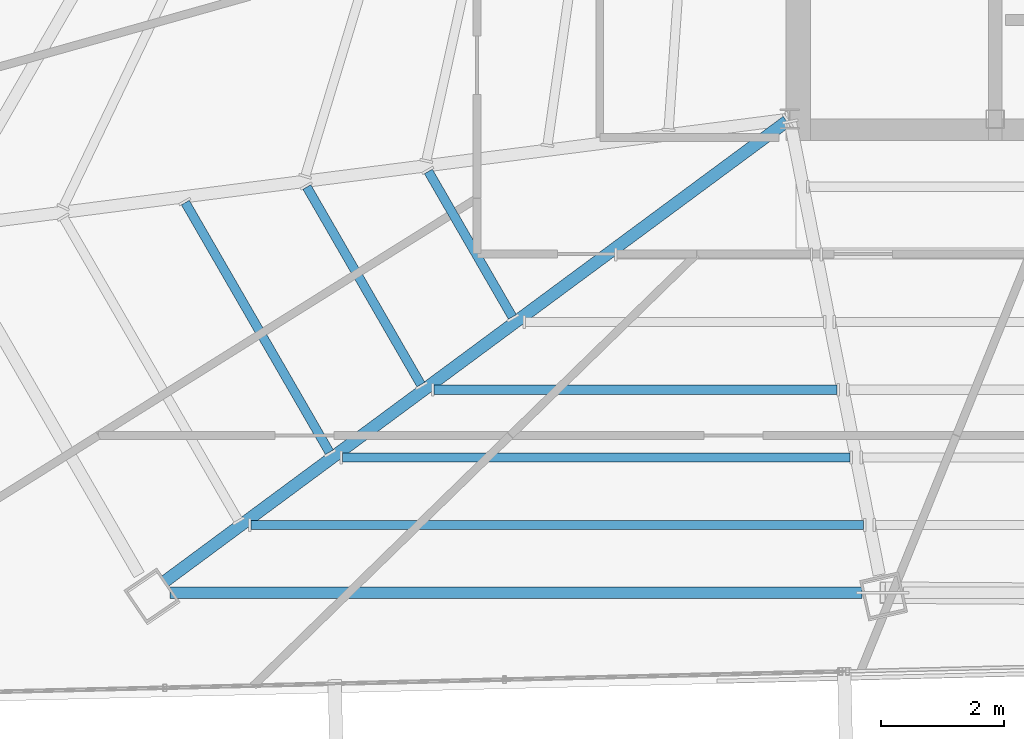
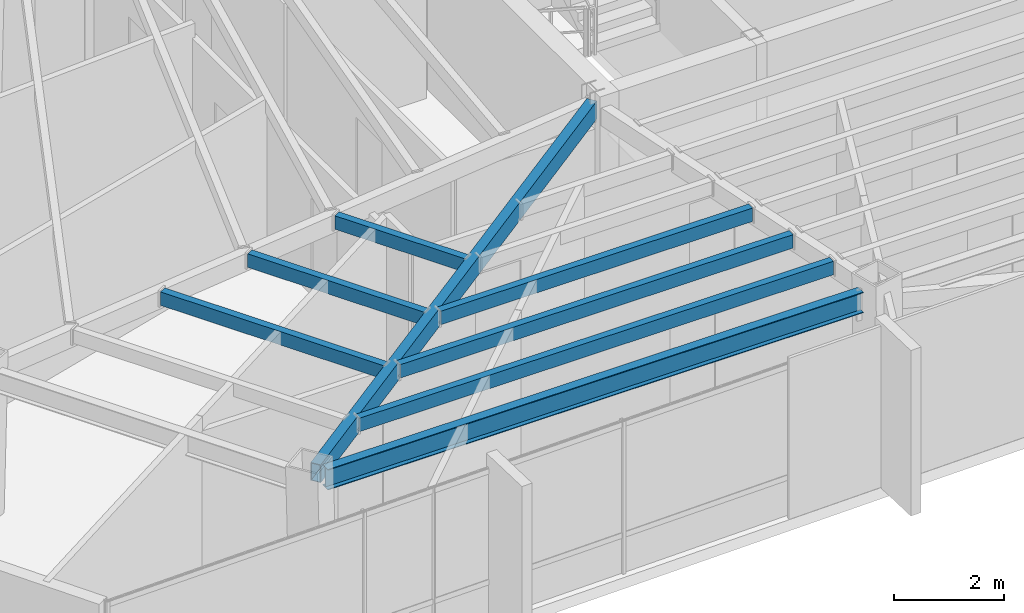
# One storey, part 6 of 48: 8 beams.
"""IFC4 building model written with IfcOpenShell, lengths in metres."""

from ifc_helpers import new_model, si_unit, direction, frame, origin, origin_2d, place, context, subcontext, project, spatial, hollow_rectangle, i_section, extrude, source, transform, mapped, material, material_profile, profile_set, type_object, type_shapes, element, save


model = new_model("IFC4")

# Units and contexts
model_context = context("Model", 3, precision=1e-05, world=origin(), true_north=direction((0.0, 1.0)))
body_context = subcontext(model_context, "Body", "Model", "MODEL_VIEW")
ifc_project = project(units=[si_unit("LENGTHUNIT", "METRE"), si_unit("AREAUNIT", "SQUARE_METRE"), si_unit("VOLUMEUNIT", "CUBIC_METRE"), si_unit("PLANEANGLEUNIT", "RADIAN"), si_unit("MASSUNIT", "GRAM", prefix="KILO")], contexts=[model_context])

# Site, building, storey
site_placement = place(None, origin())
site = spatial("IfcSite", under=ifc_project, at=site_placement, CompositionType="ELEMENT")
building_placement = place(site_placement, origin())
building = spatial("IfcBuilding", under=site, at=building_placement, Name="Caelisora Broadcast Tower", CompositionType="ELEMENT")
storey_placement = place(building_placement, frame((0.0, 0.0, 270.0)))
storey = spatial("IfcBuildingStorey", under=building, at=storey_placement, Name="L71", CompositionType="ELEMENT", Elevation=270.0)

# Beams
ifc_material_1 = material(Name="Steel Grade 350 (AS/NZS 3679.1)", Category="steel")
ifc_material_profile_1 = material_profile(ifc_material_1, i_section(OverallWidth=0.19091796875, OverallDepth=0.46044921875, WebThickness=0.010009765625, FlangeThickness=0.01611328125, at=origin_2d()), Name="Steel Grade 350 (AS/NZS 3679.1)")
ifc_profile_set_1 = profile_set([ifc_material_profile_1], Name="Steel Grade 350 (AS/NZS 3679.1)")
beam_type_1 = type_object("IfcBeamType", Name="PG06", PredefinedType="BEAM", material=ifc_profile_set_1)
shared_shape_1 = source(origin(), body_context, "Body", "SweptSolid", [
    extrude(i_section(OverallWidth=0.19091796875, OverallDepth=0.46044921875, WebThickness=0.010009765625, FlangeThickness=0.01611328125, at=origin_2d()), origin(), (0.0, 0.0, 1.0), 11.2880859375),
])
type_shapes(beam_type_1, [shared_shape_1])
beam_1_placement = place(storey_placement, frame((20.391845703125, 9.673583984375, 3.169921875), z_axis=(1.0, 0.0, 0.0), x_axis=(0.0, 1.0, 0.0)))
element("IfcBeam", 1, at=beam_1_placement, inside=storey, type_object=beam_type_1, Name="L71 beam PG06", PredefinedType="BEAM", context=body_context, shape_type="MappedRepresentation", body=[
    mapped(shared_shape_1, transform((0.0, 0.0, 0.0), scale=1.0)),
])
ifc_material_2 = material(Name="Steel Grade 350 (AS/NZS 1163 C350L0)", Category="steel")
ifc_material_profile_2 = material_profile(ifc_material_2, hollow_rectangle(XDim=0.199951171875, YDim=0.39990234375, WallThickness=0.012451171875, at=origin_2d()), Name="Steel Grade 350 (AS/NZS 1163 C350L0)")
ifc_profile_set_2 = profile_set([ifc_material_profile_2], Name="Steel Grade 350 (AS/NZS 1163 C350L0)")
beam_type_2 = type_object("IfcBeamType", Name="PG07", PredefinedType="BEAM", material=ifc_profile_set_2)
shared_shape_2 = source(origin(), body_context, "Body", "SweptSolid", [
    extrude(hollow_rectangle(XDim=0.199951171875, YDim=0.39990234375, WallThickness=0.012451171875, at=origin_2d()), origin(), (0.0, 0.0, 1.0), 12.635009765625),
])
type_shapes(beam_type_2, [shared_shape_2])
beam_2_placement = place(storey_placement, frame((30.451904296875, 17.3642578125, 3.199951171875), z_axis=(-0.803986561344, -0.594647466302, 0.0), x_axis=(0.594647466302, -0.803986561344, 0.0)))
element("IfcBeam", 2, at=beam_2_placement, inside=storey, type_object=beam_type_2, Name="L71 beam PG07", PredefinedType="BEAM", context=body_context, shape_type="MappedRepresentation", body=[
    mapped(shared_shape_2, transform((0.0, 0.0, 0.0), scale=1.0)),
])
ifc_material_profile_3 = material_profile(ifc_material_2, hollow_rectangle(XDim=0.14990234375, YDim=0.300048828125, WallThickness=0.010009765625, at=origin_2d()), Name="Steel Grade 350 (AS/NZS 1163 C350L0)")
ifc_profile_set_3 = profile_set([ifc_material_profile_3], Name="Steel Grade 350 (AS/NZS 1163 C350L0)")
beam_type_3 = type_object("IfcBeamType", Name="SB05", PredefinedType="JOIST", material=ifc_profile_set_3)
shared_shape_3 = source(origin(), body_context, "Body", "SweptSolid", [
    extrude(hollow_rectangle(XDim=0.14990234375, YDim=0.300048828125, WallThickness=0.010009765625, at=origin_2d()), origin(), (0.0, 0.0, 1.0), 2.740478515625),
])
beam_3_placement = place(storey_placement, frame((24.60400390625, 16.54638671875, 3.25), z_axis=(0.500038620418, -0.866003105128, 0.0), x_axis=(0.866003105128, 0.500038620418, 0.0)))
element("IfcBeam", 3, at=beam_3_placement, inside=storey, type_object=beam_type_3, Name="L71 beam SB05", PredefinedType="JOIST", context=body_context, shape_type="MappedRepresentation", body=[
    mapped(shared_shape_3, transform((0.0, 0.0, 0.0), scale=1.0)),
])
shared_shape_4 = source(origin(), body_context, "Body", "SweptSolid", [
    extrude(hollow_rectangle(XDim=0.14990234375, YDim=0.300048828125, WallThickness=0.010009765625, at=origin_2d()), origin(), (0.0, 0.0, 1.0), 3.7216796875),
])
beam_4_placement = place(storey_placement, frame((22.62109375, 16.29248046875, 3.25), z_axis=(0.499991230095, -0.866030467032, 0.0), x_axis=(0.866030467032, 0.499991230095, 0.0)))
element("IfcBeam", 4, at=beam_4_placement, inside=storey, type_object=beam_type_3, Name="L71 beam SB05", PredefinedType="JOIST", context=body_context, shape_type="MappedRepresentation", body=[
    mapped(shared_shape_4, transform((0.0, 0.0, 0.0), scale=1.0)),
])
shared_shape_5 = source(origin(), body_context, "Body", "SweptSolid", [
    extrude(hollow_rectangle(XDim=0.14990234375, YDim=0.300048828125, WallThickness=0.010009765625, at=origin_2d()), origin(), (0.0, 0.0, 1.0), 4.70263671875),
])
beam_5_placement = place(storey_placement, frame((20.63818359375, 16.038330078125, 3.25), z_axis=(0.500008572427, -0.866020454435, 0.0), x_axis=(0.866020454435, 0.500008572427, 0.0)))
element("IfcBeam", 5, at=beam_5_placement, inside=storey, type_object=beam_type_3, Name="L71 beam SB05", PredefinedType="JOIST", context=body_context, shape_type="MappedRepresentation", body=[
    mapped(shared_shape_5, transform((0.0, 0.0, 0.0), scale=1.0)),
])
shared_shape_6 = source(origin(), body_context, "Body", "SweptSolid", [
    extrude(hollow_rectangle(XDim=0.14990234375, YDim=0.300048828125, WallThickness=0.010009765625, at=origin_2d()), origin(), (0.0, 0.0, 1.0), 6.57275390625),
])
beam_6_placement = place(storey_placement, frame((24.69580078125, 12.98486328125, 3.25), z_axis=(1.0, 0.0, 0.0), x_axis=(0.0, 1.0, 0.0)))
element("IfcBeam", 6, at=beam_6_placement, inside=storey, type_object=beam_type_3, Name="L71 beam SB05", PredefinedType="JOIST", context=body_context, shape_type="MappedRepresentation", body=[
    mapped(shared_shape_6, transform((0.0, 0.0, 0.0), scale=1.0)),
])
shared_shape_7 = source(origin(), body_context, "Body", "SweptSolid", [
    extrude(hollow_rectangle(XDim=0.14990234375, YDim=0.300048828125, WallThickness=0.010009765625, at=origin_2d()), origin(), (0.0, 0.0, 1.0), 8.28173828125),
])
beam_7_placement = place(storey_placement, frame((23.20361328125, 11.881103515625, 3.25), z_axis=(1.0, 0.0, 0.0), x_axis=(0.0, 1.0, 0.0)))
element("IfcBeam", 7, at=beam_7_placement, inside=storey, type_object=beam_type_3, Name="L71 beam SB05", PredefinedType="JOIST", context=body_context, shape_type="MappedRepresentation", body=[
    mapped(shared_shape_7, transform((0.0, 0.0, 0.0), scale=1.0)),
])
shared_shape_8 = source(origin(), body_context, "Body", "SweptSolid", [
    extrude(hollow_rectangle(XDim=0.14990234375, YDim=0.300048828125, WallThickness=0.010009765625, at=origin_2d()), origin(), (0.0, 0.0, 1.0), 9.990966796875),
])
type_shapes(beam_type_3, [shared_shape_3, shared_shape_4, shared_shape_5, shared_shape_6, shared_shape_7, shared_shape_8])
beam_8_placement = place(storey_placement, frame((21.711181640625, 10.77734375, 3.25), z_axis=(1.0, 0.0, 0.0), x_axis=(0.0, 1.0, 0.0)))
element("IfcBeam", 8, at=beam_8_placement, inside=storey, type_object=beam_type_3, Name="L71 beam SB05", PredefinedType="JOIST", context=body_context, shape_type="MappedRepresentation", body=[
    mapped(shared_shape_8, transform((0.0, 0.0, 0.0), scale=1.0)),
])

save(model, "model.ifc")
